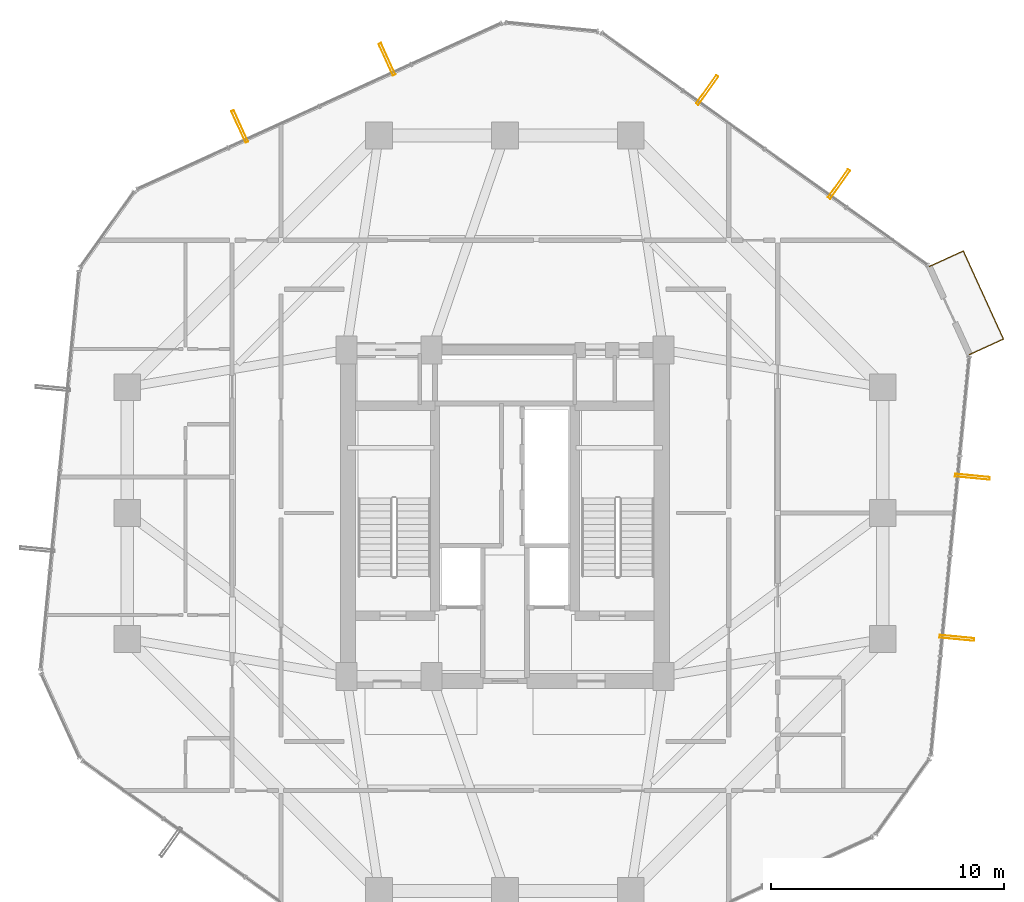
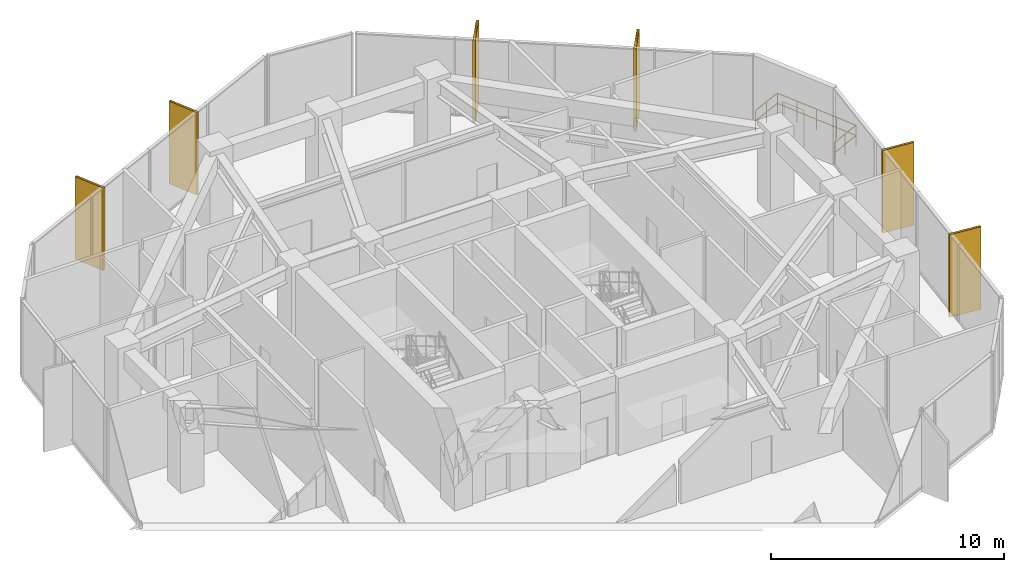
# One storey, part 25 of 25: 6 shading devices, 1 railing.
"""IFC4 building model written with IfcOpenShell, lengths in metres."""

from ifc_helpers import new_model, si_unit, direction, frame, origin, origin_2d, place, context, subcontext, project, spatial, hollow_rectangle, circle, extrude, material, material_profile, profile_set, type_object, element, save


model = new_model("IFC4")

# Units and contexts
model_context = context("Model", 3, precision=1e-05, world=origin(), true_north=direction((0.0, 1.0)))
body_context = subcontext(model_context, "Body", "Model", "MODEL_VIEW")
ifc_project = project(units=[si_unit("LENGTHUNIT", "METRE"), si_unit("AREAUNIT", "SQUARE_METRE"), si_unit("VOLUMEUNIT", "CUBIC_METRE"), si_unit("PLANEANGLEUNIT", "RADIAN"), si_unit("MASSUNIT", "GRAM", prefix="KILO")], contexts=[model_context])

# Site, building, storey
site_placement = place(None, origin())
site = spatial("IfcSite", under=ifc_project, at=site_placement, CompositionType="ELEMENT")
building_placement = place(site_placement, origin())
building = spatial("IfcBuilding", under=site, at=building_placement, Name="Veraguas Prism Commons", CompositionType="ELEMENT")
storey_placement = place(building_placement, frame((0.0, 0.0, 108.949951171875)))
storey = spatial("IfcBuildingStorey", under=building, at=storey_placement, Name="L30", CompositionType="ELEMENT", Elevation=108.949951171875)

# Shading devices
ifc_material_1 = material(Name="Anodised aluminium EN AW-6063 T6", Category="aluminium")
ifc_material_profile = material_profile(ifc_material_1, hollow_rectangle(XDim=0.1201171875, YDim=1.489990234375, WallThickness=0.006103515625, at=origin_2d()), Name="FIN120X1490X6")
ifc_profile_set = profile_set([ifc_material_profile], Name="Anodised aluminium EN AW-6063 T6")
shading_device_type = type_object("IfcShadingDeviceType", Name="Deep Pale-Metal Vertical Solar Fin 120x1490", PredefinedType="USERDEFINED", material=ifc_profile_set)
for number, where, z_axis, x_axis, name in (
    (1, (38.327880859375, 38.110107421875, -0.260009765625), (0.0, 0.0, 1.0), (-0.814115518356, 0.580702955711, 0.0), "Vertical Pale-Metal Solar Fin L30-F1A"),
    (2, (32.676513671875, 42.14111328125, -0.260009765625), (0.0, 0.0, 1.0), (-0.814115518356, 0.580702955711, 0.0), "Vertical Pale-Metal Solar Fin L30-F1B"),
    (3, (18.9443359375, 43.46337890625, -0.260009765625), (0.0, 0.0, 1.0), (-0.909959823319, -0.414696419018, 0.0), "Vertical Pale-Metal Solar Fin L30-F2A"),
    (4, (12.627685546875, 40.584716796875, -0.260009765625), (0.0, 0.0, 1.0), (-0.909959823319, -0.414696419018, 0.0), "Vertical Pale-Metal Solar Fin L30-F2B"),
    (5, (43.383544921875, 18.646484375, -0.260009765625), (0.0, 0.0, 1.0), (0.095844015226, 0.995396365648, 0.0), "Vertical Pale-Metal Solar Fin L30-F6A"),
    (6, (44.048828125, 25.556396484375, -0.260009765625), (0.0, 0.0, 1.0), (0.095844015226, 0.995396365648, 0.0), "Vertical Pale-Metal Solar Fin L30-F6B"),
):
    element("IfcShadingDevice", number, at=place(storey_placement, frame(where, z_axis=z_axis, x_axis=x_axis)), inside=storey, type_object=shading_device_type, Name=name, ObjectType="FIN", PredefinedType="USERDEFINED", context=body_context, shape_type="SweptSolid", body=[
        extrude(hollow_rectangle(XDim=0.1201171875, YDim=1.489990234375, WallThickness=0.006103515625, at=origin_2d()), origin(), (0.0, 0.0, 1.0), 4.330078125),
    ])

# Railing
ifc_material_2 = material(Name="Stainless steel AISI 316", Category="steel")
railing_type = type_object("IfcRailingType", Name="Loggia and Sky Pool Glazed Balustrade 1120", PredefinedType="BALUSTRADE", material=ifc_material_2)
railing_placement = place(storey_placement, frame((43.92578125, 30.798583984375, 0.0)))
element("IfcRailing", 7, at=railing_placement, inside=storey, type_object=railing_type, Name="Recessed Corner Loggia L30-C1 Guard", PredefinedType="BALUSTRADE", context=body_context, shape_type="SweptSolid", body=[
    extrude(circle(Radius=0.02392578125, at=origin_2d()), frame((0.0, 0.0, 1.09619140625), z_axis=(0.909932227347, 0.414756966951, 0.0), x_axis=(-0.414756966951, 0.909932227347, 0.0)), (0.0, 0.0, 1.0), 1.599853515625),
    extrude(circle(Radius=0.02392578125, at=origin_2d()), frame((0.0, 0.0, 0.56005859375), z_axis=(0.909932227347, 0.414756966951, 0.0), x_axis=(-0.414756966951, 0.909932227347, 0.0)), (0.0, 0.0, 1.0), 1.599853515625),
    extrude(circle(Radius=0.02392578125, at=origin_2d()), frame((1.455810546875, 0.66357421875, 1.09619140625), z_axis=(-0.414661971956, 0.909975521107, 0.0), x_axis=(-0.909975521107, -0.414661971956, 0.0)), (0.0, 0.0, 1.0), 4.153076171875),
    extrude(circle(Radius=0.02392578125, at=origin_2d()), frame((1.455810546875, 0.66357421875, 0.56005859375), z_axis=(-0.414661971956, 0.909975521107, 0.0), x_axis=(-0.909975521107, -0.414661971956, 0.0)), (0.0, 0.0, 1.0), 4.153076171875),
    extrude(circle(Radius=0.02392578125, at=origin_2d()), frame((-0.266357421875, 4.44287109375, 1.09619140625), z_axis=(-0.909932227347, -0.414756966951, 0.0), x_axis=(0.414756966951, -0.909932227347, 0.0)), (0.0, 0.0, 1.0), 1.599853515625),
    extrude(circle(Radius=0.02392578125, at=origin_2d()), frame((-0.266357421875, 4.44287109375, 0.56005859375), z_axis=(-0.909932227347, -0.414756966951, 0.0), x_axis=(0.414756966951, -0.909932227347, 0.0)), (0.0, 0.0, 1.0), 1.599853515625),
    extrude(circle(Radius=0.02099609375, at=origin_2d()), origin(), (0.0, 0.0, 1.0), 1.072021484375),
    extrude(circle(Radius=0.02099609375, at=origin_2d()), frame((0.72802734375, 0.331787109375, 0.0)), (0.0, 0.0, 1.0), 1.072021484375),
    extrude(circle(Radius=0.02099609375, at=origin_2d()), frame((1.455810546875, 0.66357421875, 0.0)), (0.0, 0.0, 1.0), 1.072021484375),
    extrude(circle(Radius=0.02099609375, at=origin_2d()), frame((1.025390625, 1.6083984375, 0.0)), (0.0, 0.0, 1.0), 1.072021484375),
    extrude(circle(Radius=0.02099609375, at=origin_2d()), frame((0.5947265625, 2.55322265625, 0.0)), (0.0, 0.0, 1.0), 1.072021484375),
    extrude(circle(Radius=0.02099609375, at=origin_2d()), frame((0.1640625, 3.498046875, 0.0)), (0.0, 0.0, 1.0), 1.072021484375),
    extrude(circle(Radius=0.02099609375, at=origin_2d()), frame((-0.266357421875, 4.44287109375, 0.0)), (0.0, 0.0, 1.0), 1.072021484375),
    extrude(circle(Radius=0.02099609375, at=origin_2d()), frame((-0.994140625, 4.111083984375, 0.0)), (0.0, 0.0, 1.0), 1.072021484375),
    extrude(circle(Radius=0.02099609375, at=origin_2d()), frame((-1.72216796875, 3.779296875, 0.0)), (0.0, 0.0, 1.0), 1.072021484375),
])

save(model, "model.ifc")
